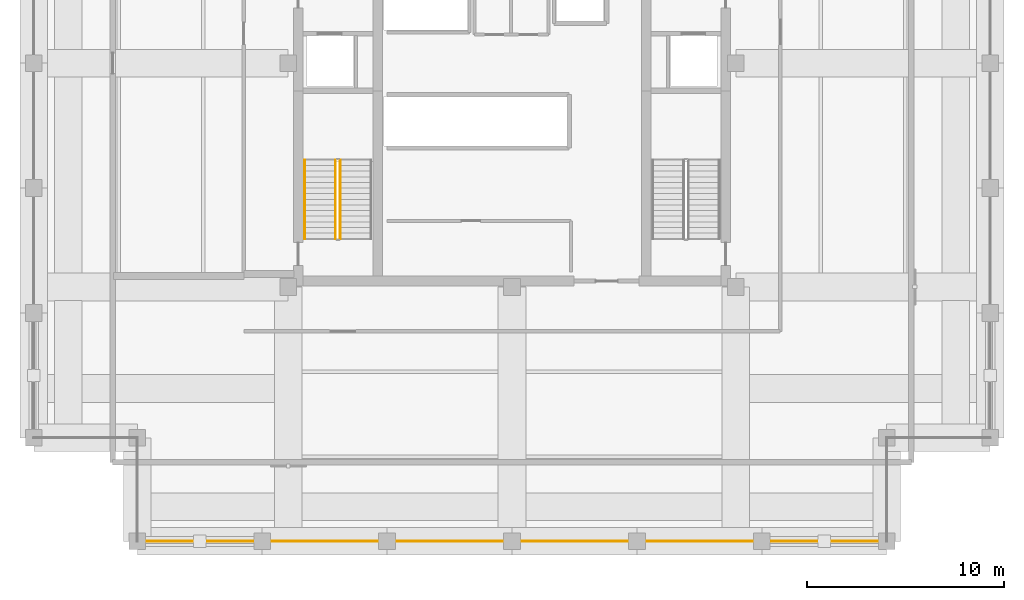
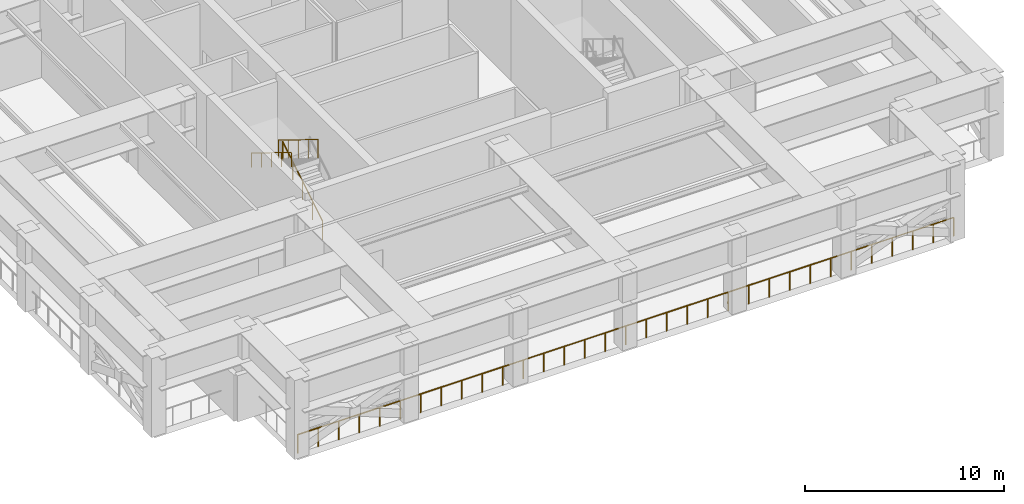
# One storey, part 6 of 10: 4 railings.
"""IFC4 building model written with IfcOpenShell, lengths in metres."""

from ifc_helpers import new_model, si_unit, direction, frame, origin, origin_2d, place, context, subcontext, project, spatial, circle, extrude, material, type_object, element, save


model = new_model("IFC4")

# Units and contexts
model_context = context("Model", 3, precision=1e-05, world=origin(), true_north=direction((0.0, 1.0)))
body_context = subcontext(model_context, "Body", "Model", "MODEL_VIEW")
ifc_project = project(units=[si_unit("LENGTHUNIT", "METRE"), si_unit("AREAUNIT", "SQUARE_METRE"), si_unit("VOLUMEUNIT", "CUBIC_METRE"), si_unit("PLANEANGLEUNIT", "RADIAN"), si_unit("MASSUNIT", "GRAM", prefix="KILO")], contexts=[model_context])

# Site, building, storey
site_placement = place(None, origin())
site = spatial("IfcSite", under=ifc_project, at=site_placement, CompositionType="ELEMENT")
building_placement = place(site_placement, origin())
building = spatial("IfcBuilding", under=site, at=building_placement, Name="Nhamokura Convention Tower", CompositionType="ELEMENT")
storey_placement = place(building_placement, frame((0.0, 0.0, 252.35009765625)))
storey = spatial("IfcBuildingStorey", under=building, at=storey_placement, Name="L62", CompositionType="ELEMENT", Elevation=252.35009765625)

# Railings
ifc_material_1 = material(Name="Anodised bronze stainless steel", Category="steel")
railing_type_1 = type_object("IfcRailingType", Name="StairWallHandrail_900", PredefinedType="HANDRAIL", material=ifc_material_1)
railing_1_placement = place(storey_placement, frame((21.5, 27.090087890625, 2.7998046875)))
element("IfcRailing", 1, at=railing_1_placement, inside=storey, type_object=railing_type_1, Name="L62 ST-01 stair handrail 2", PredefinedType="HANDRAIL", context=body_context, shape_type="SweptSolid", body=[
    extrude(circle(Radius=0.02392578125, at=origin_2d()), frame((0.0, 0.0, 0.8759765625), z_axis=(0.0, -0.852152053685, 0.523294255081), x_axis=(1.0, 0.0, 0.0)), (0.0, 0.0, 1.0), 4.682373046875),
    extrude(circle(Radius=0.02099609375, at=origin_2d()), origin(), (0.0, 0.0, 1.0), 0.851806640625),
    extrude(circle(Radius=0.02099609375, at=origin_2d()), frame((0.0, -0.99755859375, 0.612548828125)), (0.0, 0.0, 1.0), 0.851806640625),
    extrude(circle(Radius=0.02099609375, at=origin_2d()), frame((0.0, -1.9951171875, 1.22509765625)), (0.0, 0.0, 1.0), 0.851806640625),
    extrude(circle(Radius=0.02099609375, at=origin_2d()), frame((0.0, -2.992431640625, 1.837646484375)), (0.0, 0.0, 1.0), 0.851806640625),
    extrude(circle(Radius=0.02099609375, at=origin_2d()), frame((0.0, -3.989990234375, 2.4501953125)), (0.0, 0.0, 1.0), 0.851806640625),
])
ifc_material_2 = material(Name="Painted tubular steel", Category="steel")
railing_type_2 = type_object("IfcRailingType", Name="StairWellGuardrail_1150", PredefinedType="GUARDRAIL", material=ifc_material_2)
railing_2_placement = place(storey_placement, frame((23.300048828125, 23.10009765625, 0.1748046875)))
element("IfcRailing", 2, at=railing_2_placement, inside=storey, type_object=railing_type_2, Name="L62 ST-01 stair guard 1", PredefinedType="GUARDRAIL", context=body_context, shape_type="SweptSolid", body=[
    extrude(circle(Radius=0.02392578125, at=origin_2d()), frame((0.0, 0.0, 1.1259765625), z_axis=(0.0, 0.852152053685, 0.523294255081), x_axis=(-1.0, 0.0, 0.0)), (0.0, 0.0, 1.0), 4.682373046875),
    extrude(circle(Radius=0.02099609375, at=origin_2d()), origin(), (0.0, 0.0, 1.0), 1.101806640625),
    extrude(circle(Radius=0.02099609375, at=origin_2d()), frame((0.0, 0.99755859375, 0.612548828125)), (0.0, 0.0, 1.0), 1.101806640625),
    extrude(circle(Radius=0.02099609375, at=origin_2d()), frame((0.0, 1.9951171875, 1.22509765625)), (0.0, 0.0, 1.0), 1.101806640625),
    extrude(circle(Radius=0.02099609375, at=origin_2d()), frame((0.0, 2.992431640625, 1.837646484375)), (0.0, 0.0, 1.0), 1.101806640625),
    extrude(circle(Radius=0.02099609375, at=origin_2d()), frame((0.0, 3.989990234375, 2.4501953125)), (0.0, 0.0, 1.0), 1.101806640625),
])
railing_3_placement = place(storey_placement, frame((23.050048828125, 27.090087890625, 2.7998046875)))
element("IfcRailing", 3, at=railing_3_placement, inside=storey, type_object=railing_type_2, Name="L62 ST-01 stair guard 3", PredefinedType="GUARDRAIL", context=body_context, shape_type="SweptSolid", body=[
    extrude(circle(Radius=0.02392578125, at=origin_2d()), frame((0.0, 0.0, 1.1259765625), z_axis=(0.0, -0.852152053685, 0.523294255081), x_axis=(1.0, 0.0, 0.0)), (0.0, 0.0, 1.0), 4.682373046875),
    extrude(circle(Radius=0.02099609375, at=origin_2d()), origin(), (0.0, 0.0, 1.0), 1.101806640625),
    extrude(circle(Radius=0.02099609375, at=origin_2d()), frame((0.0, -0.99755859375, 0.612548828125)), (0.0, 0.0, 1.0), 1.101806640625),
    extrude(circle(Radius=0.02099609375, at=origin_2d()), frame((0.0, -1.9951171875, 1.22509765625)), (0.0, 0.0, 1.0), 1.101806640625),
    extrude(circle(Radius=0.02099609375, at=origin_2d()), frame((0.0, -2.992431640625, 1.837646484375)), (0.0, 0.0, 1.0), 1.101806640625),
    extrude(circle(Radius=0.02099609375, at=origin_2d()), frame((0.0, -3.989990234375, 2.4501953125)), (0.0, 0.0, 1.0), 1.101806640625),
])
ifc_material_3 = material(Name="Anodised bronze stainless steel", Category="steel")
railing_type_3 = type_object("IfcRailingType", Name="TerraceGuardrail_1150", PredefinedType="GUARDRAIL", material=ifc_material_3)
railing_4_placement = place(storey_placement, frame((13.0, 7.75, 0.0)))
element("IfcRailing", 4, at=railing_4_placement, inside=storey, type_object=railing_type_3, Name="L62 Perimeter Guardrail 01", PredefinedType="GUARDRAIL", context=body_context, shape_type="SweptSolid", body=[
    extrude(circle(Radius=0.02392578125, at=origin_2d()), frame((0.0, 0.0, 1.1259765625), z_axis=(1.0, 0.0, 0.0), x_axis=(0.0, 1.0, 0.0)), (0.0, 0.0, 1.0), 38.0),
    extrude(circle(Radius=0.02099609375, at=origin_2d()), origin(), (0.0, 0.0, 1.0), 1.101806640625),
    extrude(circle(Radius=0.02099609375, at=origin_2d()), frame((1.1875, 0.0, 0.0)), (0.0, 0.0, 1.0), 1.101806640625),
    extrude(circle(Radius=0.02099609375, at=origin_2d()), frame((2.375, 0.0, 0.0)), (0.0, 0.0, 1.0), 1.101806640625),
    extrude(circle(Radius=0.02099609375, at=origin_2d()), frame((3.5625, 0.0, 0.0)), (0.0, 0.0, 1.0), 1.101806640625),
    extrude(circle(Radius=0.02099609375, at=origin_2d()), frame((4.75, 0.0, 0.0)), (0.0, 0.0, 1.0), 1.101806640625),
    extrude(circle(Radius=0.02099609375, at=origin_2d()), frame((5.9375, 0.0, 0.0)), (0.0, 0.0, 1.0), 1.101806640625),
    extrude(circle(Radius=0.02099609375, at=origin_2d()), frame((7.125, 0.0, 0.0)), (0.0, 0.0, 1.0), 1.101806640625),
    extrude(circle(Radius=0.02099609375, at=origin_2d()), frame((8.3125, 0.0, 0.0)), (0.0, 0.0, 1.0), 1.101806640625),
    extrude(circle(Radius=0.02099609375, at=origin_2d()), frame((9.5, 0.0, 0.0)), (0.0, 0.0, 1.0), 1.101806640625),
    extrude(circle(Radius=0.02099609375, at=origin_2d()), frame((10.6875, 0.0, 0.0)), (0.0, 0.0, 1.0), 1.101806640625),
    extrude(circle(Radius=0.02099609375, at=origin_2d()), frame((11.875, 0.0, 0.0)), (0.0, 0.0, 1.0), 1.101806640625),
    extrude(circle(Radius=0.02099609375, at=origin_2d()), frame((13.0625, 0.0, 0.0)), (0.0, 0.0, 1.0), 1.101806640625),
    extrude(circle(Radius=0.02099609375, at=origin_2d()), frame((14.25, 0.0, 0.0)), (0.0, 0.0, 1.0), 1.101806640625),
    extrude(circle(Radius=0.02099609375, at=origin_2d()), frame((15.4375, 0.0, 0.0)), (0.0, 0.0, 1.0), 1.101806640625),
    extrude(circle(Radius=0.02099609375, at=origin_2d()), frame((16.625, 0.0, 0.0)), (0.0, 0.0, 1.0), 1.101806640625),
    extrude(circle(Radius=0.02099609375, at=origin_2d()), frame((17.8125, 0.0, 0.0)), (0.0, 0.0, 1.0), 1.101806640625),
    extrude(circle(Radius=0.02099609375, at=origin_2d()), frame((19.0, 0.0, 0.0)), (0.0, 0.0, 1.0), 1.101806640625),
    extrude(circle(Radius=0.02099609375, at=origin_2d()), frame((20.1875, 0.0, 0.0)), (0.0, 0.0, 1.0), 1.101806640625),
    extrude(circle(Radius=0.02099609375, at=origin_2d()), frame((21.375, 0.0, 0.0)), (0.0, 0.0, 1.0), 1.101806640625),
    extrude(circle(Radius=0.02099609375, at=origin_2d()), frame((22.5625, 0.0, 0.0)), (0.0, 0.0, 1.0), 1.101806640625),
    extrude(circle(Radius=0.02099609375, at=origin_2d()), frame((23.75, 0.0, 0.0)), (0.0, 0.0, 1.0), 1.101806640625),
    extrude(circle(Radius=0.02099609375, at=origin_2d()), frame((24.9375, 0.0, 0.0)), (0.0, 0.0, 1.0), 1.101806640625),
    extrude(circle(Radius=0.02099609375, at=origin_2d()), frame((26.125, 0.0, 0.0)), (0.0, 0.0, 1.0), 1.101806640625),
    extrude(circle(Radius=0.02099609375, at=origin_2d()), frame((27.3125, 0.0, 0.0)), (0.0, 0.0, 1.0), 1.101806640625),
    extrude(circle(Radius=0.02099609375, at=origin_2d()), frame((28.5, 0.0, 0.0)), (0.0, 0.0, 1.0), 1.101806640625),
    extrude(circle(Radius=0.02099609375, at=origin_2d()), frame((29.6875, 0.0, 0.0)), (0.0, 0.0, 1.0), 1.101806640625),
    extrude(circle(Radius=0.02099609375, at=origin_2d()), frame((30.875, 0.0, 0.0)), (0.0, 0.0, 1.0), 1.101806640625),
    extrude(circle(Radius=0.02099609375, at=origin_2d()), frame((32.0625, 0.0, 0.0)), (0.0, 0.0, 1.0), 1.101806640625),
    extrude(circle(Radius=0.02099609375, at=origin_2d()), frame((33.25, 0.0, 0.0)), (0.0, 0.0, 1.0), 1.101806640625),
    extrude(circle(Radius=0.02099609375, at=origin_2d()), frame((34.4375, 0.0, 0.0)), (0.0, 0.0, 1.0), 1.101806640625),
    extrude(circle(Radius=0.02099609375, at=origin_2d()), frame((35.625, 0.0, 0.0)), (0.0, 0.0, 1.0), 1.101806640625),
    extrude(circle(Radius=0.02099609375, at=origin_2d()), frame((36.8125, 0.0, 0.0)), (0.0, 0.0, 1.0), 1.101806640625),
    extrude(circle(Radius=0.02099609375, at=origin_2d()), frame((38.0, 0.0, 0.0)), (0.0, 0.0, 1.0), 1.101806640625),
])

save(model, "model.ifc")
